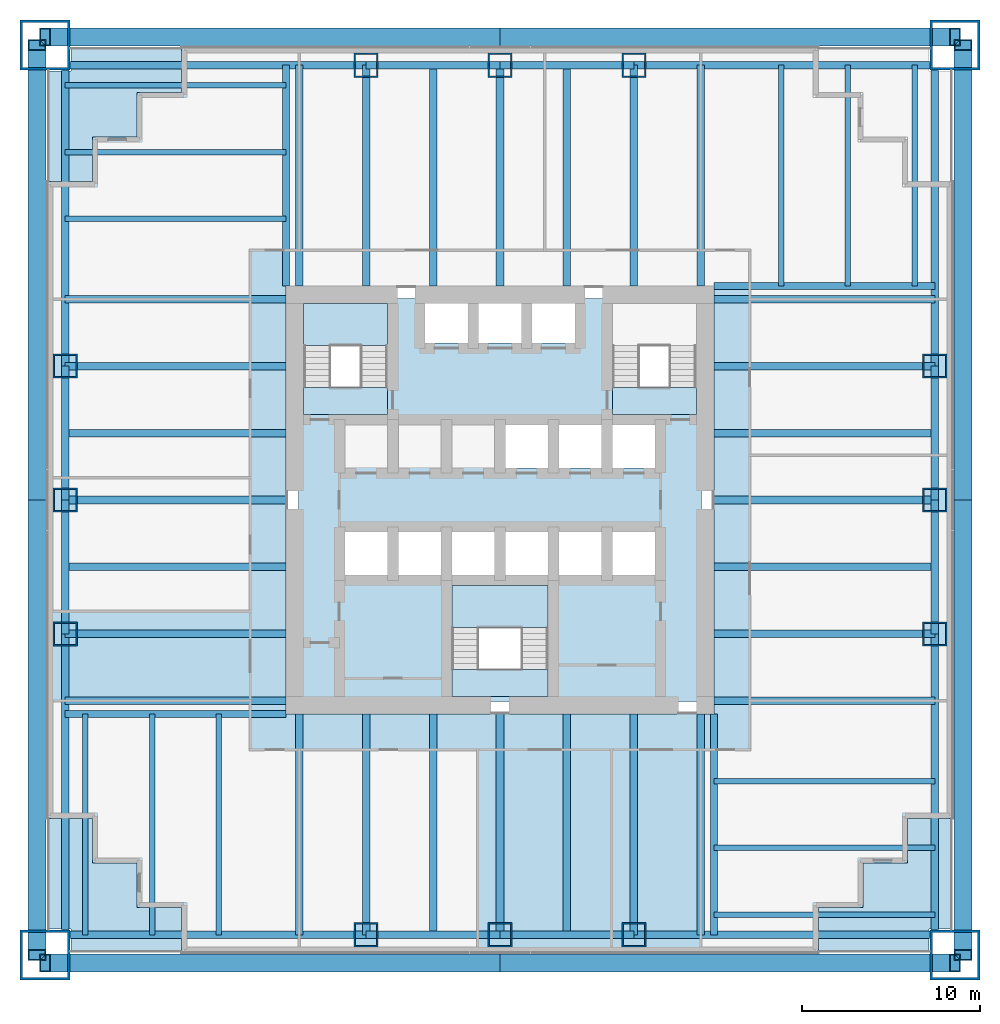
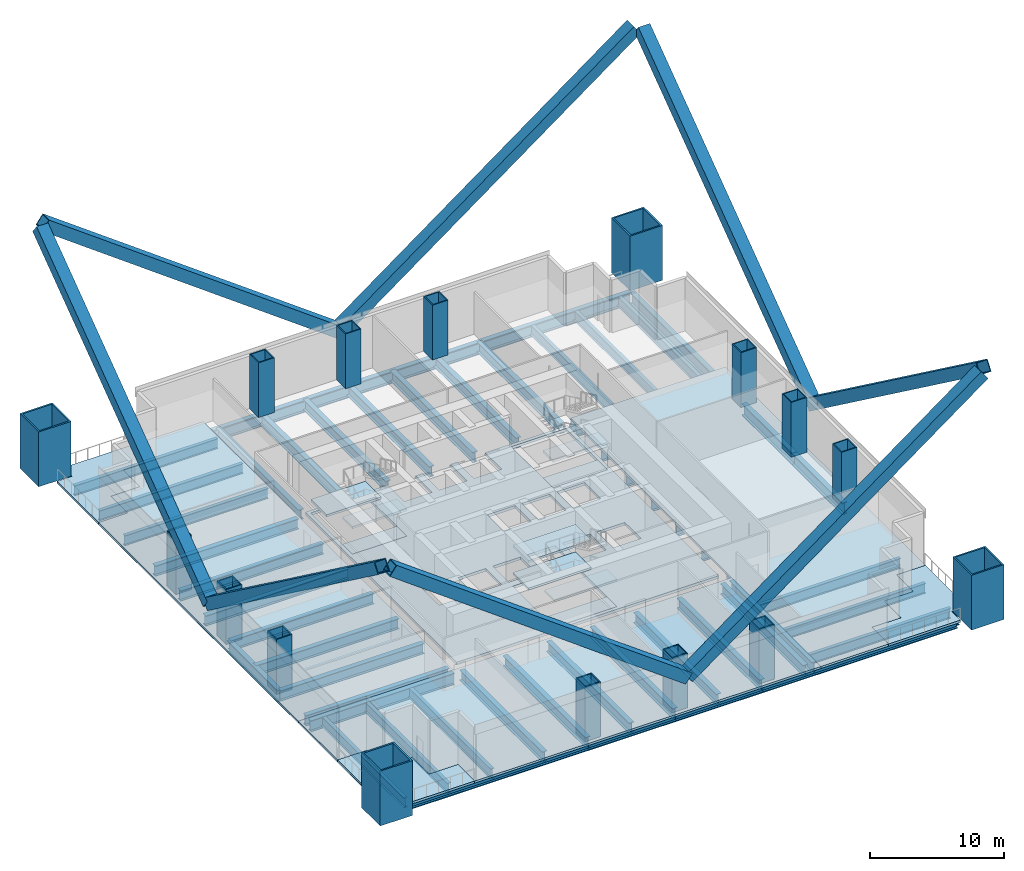
# One storey, part 1 of 6: 60 beams, 16 columns, 16 slabs, 8 members, 3 elements without a shape of their own.
"""IFC4 building model written with IfcOpenShell, lengths in metres."""

from ifc_helpers import new_model, si_unit, direction, frame, origin, origin_2d, place, context, subcontext, project, spatial, polyline, hollow_rectangle, i_section, outline, extrude, material, layer, layer_set, material_profile, profile_set, type_object, element, aggregate, save


model = new_model("IFC4")

# Units and contexts
model_context = context("Model", 3, precision=1e-05, world=origin(), true_north=direction((0.0, 1.0)))
body_context = subcontext(model_context, "Body", "Model", "MODEL_VIEW")
ifc_project = project(units=[si_unit("LENGTHUNIT", "METRE"), si_unit("AREAUNIT", "SQUARE_METRE"), si_unit("VOLUMEUNIT", "CUBIC_METRE"), si_unit("PLANEANGLEUNIT", "RADIAN"), si_unit("MASSUNIT", "GRAM", prefix="KILO")], contexts=[model_context])

# Site, building, storey
site_placement = place(None, origin())
site = spatial("IfcSite", under=ifc_project, at=site_placement, CompositionType="ELEMENT")
building_placement = place(site_placement, origin())
building = spatial("IfcBuilding", under=site, at=building_placement, Name="Tarangal Relay Tower", CompositionType="ELEMENT")
storey_placement = place(building_placement, frame((0.0, 0.0, 38.39990234375)))
storey = spatial("IfcBuildingStorey", under=building, at=storey_placement, Name="L07", CompositionType="ELEMENT", Elevation=38.39990234375)

# Columns
ifc_material_1 = material(Name="Steel ASTM A572 Grade 42", Category="steel")
ifc_material_profile_1 = material_profile(ifc_material_1, hollow_rectangle(XDim=2.800048828125, YDim=2.800048828125, WallThickness=0.139892578125, at=origin_2d()), Name="BOX2800X2800X140")
ifc_profile_set_1 = profile_set([ifc_material_profile_1], Name="Steel ASTM A572 Grade 42")
column_type_1 = type_object("IfcColumnType", Name="Mega column BOX2800X2800X140", PredefinedType="COLUMN", material=ifc_profile_set_1)
for number, where, z_axis, x_axis, name in (
    (1, (25.5, 25.5, 0.0), (0.0, 0.0, 1.0), (1.0, 0.0, 0.0), "Mega column MC1 NE L07"),
    (2, (25.5, -25.5, 0.0), (0.0, 0.0, 1.0), (1.0, 0.0, 0.0), "Mega column MC1 SE L07"),
    (3, (-25.5, -25.5, 0.0), (0.0, 0.0, 1.0), (1.0, 0.0, 0.0), "Mega column MC1 SW L07"),
    (4, (-25.5, 25.5, 0.0), (0.0, 0.0, 1.0), (1.0, 0.0, 0.0), "Mega column MC1 NW L07"),
):
    element("IfcColumn", number, at=place(storey_placement, frame(where, z_axis=z_axis, x_axis=x_axis)), inside=storey, type_object=column_type_1, Name=name, PredefinedType="COLUMN", context=body_context, shape_type="SweptSolid", body=[
        extrude(hollow_rectangle(XDim=2.800048828125, YDim=2.800048828125, WallThickness=0.139892578125, at=origin_2d()), origin(), (0.0, 0.0, 1.0), 5.0),
    ])
ifc_material_2 = material(Name="Steel ASTM A572 Grade 50", Category="steel")
ifc_material_profile_2 = material_profile(ifc_material_2, hollow_rectangle(XDim=1.35009765625, YDim=1.35009765625, WallThickness=0.0849609375, at=origin_2d()), Name="BOX1350X1350X85")
ifc_profile_set_2 = profile_set([ifc_material_profile_2], Name="Steel ASTM A572 Grade 50")
column_type_2 = type_object("IfcColumnType", Name="Perimeter column BOX1350X1350X85", PredefinedType="COLUMN", material=ifc_profile_set_2)
for number, where, z_axis, x_axis, name in (
    (5, (-7.5, 24.364990234375, 0.0), (0.0, 0.0, 1.0), (1.0, 0.0, 0.0), "Perimeter column PC2 N L07"),
    (6, (0.0, 24.364990234375, 0.0), (0.0, 0.0, 1.0), (1.0, 0.0, 0.0), "Perimeter column PC2 N L07"),
    (7, (7.5, 24.364990234375, 0.0), (0.0, 0.0, 1.0), (1.0, 0.0, 0.0), "Perimeter column PC2 N L07"),
    (8, (24.364990234375, 7.5, 0.0), (0.0, 0.0, 1.0), (1.0, 0.0, 0.0), "Perimeter column PC2 E L07"),
    (9, (24.364990234375, 0.0, 0.0), (0.0, 0.0, 1.0), (1.0, 0.0, 0.0), "Perimeter column PC2 E L07"),
    (10, (24.364990234375, -7.5, 0.0), (0.0, 0.0, 1.0), (1.0, 0.0, 0.0), "Perimeter column PC2 E L07"),
    (11, (7.5, -24.364990234375, 0.0), (0.0, 0.0, 1.0), (1.0, 0.0, 0.0), "Perimeter column PC2 S L07"),
    (12, (0.0, -24.364990234375, 0.0), (0.0, 0.0, 1.0), (1.0, 0.0, 0.0), "Perimeter column PC2 S L07"),
    (13, (-7.5, -24.364990234375, 0.0), (0.0, 0.0, 1.0), (1.0, 0.0, 0.0), "Perimeter column PC2 S L07"),
    (14, (-24.364990234375, -7.5, 0.0), (0.0, 0.0, 1.0), (1.0, 0.0, 0.0), "Perimeter column PC2 W L07"),
    (15, (-24.364990234375, 0.0, 0.0), (0.0, 0.0, 1.0), (1.0, 0.0, 0.0), "Perimeter column PC2 W L07"),
    (16, (-24.364990234375, 7.5, 0.0), (0.0, 0.0, 1.0), (1.0, 0.0, 0.0), "Perimeter column PC2 W L07"),
):
    element("IfcColumn", number, at=place(storey_placement, frame(where, z_axis=z_axis, x_axis=x_axis)), inside=storey, type_object=column_type_2, Name=name, PredefinedType="COLUMN", context=body_context, shape_type="SweptSolid", body=[
        extrude(hollow_rectangle(XDim=1.35009765625, YDim=1.35009765625, WallThickness=0.0849609375, at=origin_2d()), origin(), (0.0, 0.0, 1.0), 5.0),
    ])

# Beams
ifc_material_3 = material(Name="Steel ASTM A992", Category="steel")
ifc_material_profile_3 = material_profile(ifc_material_3, i_section(OverallWidth=0.307373046875, OverallDepth=0.927001953125, WebThickness=0.019287109375, FlangeThickness=0.031982421875, at=origin_2d()), Name="W36X194")
ifc_profile_set_3 = profile_set([ifc_material_profile_3], Name="Steel ASTM A992")
beam_type_1 = type_object("IfcBeamType", Name="Corner beam W36X194", PredefinedType="JOIST", material=ifc_profile_set_3)
for number, where, z_axis, x_axis, name in (
    (17, (15.75, 12.0, -0.66357421875), (0.0, 1.0, 0.0), (-1.0, 0.0, 0.0), "Corner beam CB10 N L07"),
    (18, (19.5, 12.0, -0.66357421875), (0.0, 1.0, 0.0), (-1.0, 0.0, 0.0), "Corner beam CB10 N L07"),
    (19, (23.25, 12.0, -0.66357421875), (0.0, 1.0, 0.0), (-1.0, 0.0, 0.0), "Corner beam CB10 N L07"),
    (20, (12.0, -15.75, -0.66357421875), (1.0, 0.0, 0.0), (0.0, 1.0, 0.0), "Corner beam CB10 E L07"),
    (21, (12.0, -19.5, -0.66357421875), (1.0, 0.0, 0.0), (0.0, 1.0, 0.0), "Corner beam CB10 E L07"),
    (22, (12.0, -23.25, -0.66357421875), (1.0, 0.0, 0.0), (0.0, 1.0, 0.0), "Corner beam CB10 E L07"),
    (23, (-15.75, -12.0, -0.66357421875), (0.0, -1.0, 0.0), (1.0, 0.0, 0.0), "Corner beam CB10 S L07"),
    (24, (-19.5, -12.0, -0.66357421875), (0.0, -1.0, 0.0), (1.0, 0.0, 0.0), "Corner beam CB10 S L07"),
    (25, (-23.25, -12.0, -0.66357421875), (0.0, -1.0, 0.0), (1.0, 0.0, 0.0), "Corner beam CB10 S L07"),
    (26, (-12.0, 15.75, -0.66357421875), (-1.0, 0.0, 0.0), (0.0, -1.0, 0.0), "Corner beam CB10 W L07"),
    (27, (-12.0, 19.5, -0.66357421875), (-1.0, 0.0, 0.0), (0.0, -1.0, 0.0), "Corner beam CB10 W L07"),
    (28, (-12.0, 23.25, -0.66357421875), (-1.0, 0.0, 0.0), (0.0, -1.0, 0.0), "Corner beam CB10 W L07"),
):
    element("IfcBeam", number, at=place(storey_placement, frame(where, z_axis=z_axis, x_axis=x_axis)), inside=storey, type_object=beam_type_1, Name=name, PredefinedType="JOIST", context=body_context, shape_type="SweptSolid", body=[
        extrude(i_section(OverallWidth=0.307373046875, OverallDepth=0.927001953125, WebThickness=0.019287109375, FlangeThickness=0.031982421875, at=origin_2d()), origin(), (0.0, 0.0, 1.0), 12.364990234375),
    ])
ifc_material_profile_4 = material_profile(ifc_material_3, i_section(OverallWidth=0.40380859375, OverallDepth=1.036376953125, WebThickness=0.031005859375, FlangeThickness=0.0458984375, at=origin_2d()), Name="W40X331")
ifc_profile_set_4 = profile_set([ifc_material_profile_4], Name="Steel ASTM A992")
beam_type_2 = type_object("IfcBeamType", Name="Corner girder W40X331", PredefinedType="BEAM", material=ifc_profile_set_4)
for number, where, z_axis, x_axis, name in (
    (29, (12.0, 12.0, -0.718017578125), (1.0, 0.0, 0.0), (0.0, 1.0, 0.0), "Corner girder CG2 N L07"),
    (30, (12.0, -12.0, -0.718017578125), (0.0, -1.0, 0.0), (1.0, 0.0, 0.0), "Corner girder CG2 E L07"),
    (31, (-12.0, -12.0, -0.718017578125), (-1.0, 0.0, 0.0), (0.0, -1.0, 0.0), "Corner girder CG2 S L07"),
    (32, (-12.0, 12.0, -0.718017578125), (0.0, 1.0, 0.0), (-1.0, 0.0, 0.0), "Corner girder CG2 W L07"),
):
    element("IfcBeam", number, at=place(storey_placement, frame(where, z_axis=z_axis, x_axis=x_axis)), inside=storey, type_object=beam_type_2, Name=name, PredefinedType="BEAM", context=body_context, shape_type="SweptSolid", body=[
        extrude(i_section(OverallWidth=0.40380859375, OverallDepth=1.036376953125, WebThickness=0.031005859375, FlangeThickness=0.0458984375, at=origin_2d()), origin(), (0.0, 0.0, 1.0), 12.364990234375),
    ])
ifc_material_profile_5 = material_profile(ifc_material_3, i_section(OverallWidth=0.42431640625, OverallDepth=1.09228515625, WebThickness=0.04541015625, FlangeThickness=0.08203125, at=origin_2d()), Name="W40X593")
ifc_profile_set_5 = profile_set([ifc_material_profile_5], Name="Steel ASTM A992")
beam_type_3 = type_object("IfcBeamType", Name="Edge girder W40X593", PredefinedType="SPANDREL", material=ifc_profile_set_5)
beam_1_placement = place(storey_placement, frame((-24.25, 24.364990234375, -0.74609375), z_axis=(1.0, 0.0, 0.0), x_axis=(0.0, 1.0, 0.0)))
element("IfcBeam", 33, at=beam_1_placement, inside=storey, type_object=beam_type_3, Name="Edge girder EG9 N L07", PredefinedType="SPANDREL", context=body_context, shape_type="SweptSolid", body=[
    extrude(i_section(OverallWidth=0.42431640625, OverallDepth=1.09228515625, WebThickness=0.04541015625, FlangeThickness=0.08203125, at=origin_2d()), origin(), (0.0, 0.0, 1.0), 16.75),
])
for number, where, z_axis, x_axis, name in (
    (34, (-7.5, 24.364990234375, -0.74609375), (1.0, 0.0, 0.0), (0.0, 1.0, 0.0), "Edge girder EG9 N L07"),
    (35, (0.0, 24.364990234375, -0.74609375), (1.0, 0.0, 0.0), (0.0, 1.0, 0.0), "Edge girder EG9 N L07"),
):
    element("IfcBeam", number, at=place(storey_placement, frame(where, z_axis=z_axis, x_axis=x_axis)), inside=storey, type_object=beam_type_3, Name=name, PredefinedType="SPANDREL", context=body_context, shape_type="SweptSolid", body=[
        extrude(i_section(OverallWidth=0.42431640625, OverallDepth=1.09228515625, WebThickness=0.04541015625, FlangeThickness=0.08203125, at=origin_2d()), origin(), (0.0, 0.0, 1.0), 7.5),
    ])
for number, where, z_axis, x_axis, name in (
    (36, (7.5, 24.364990234375, -0.74609375), (1.0, 0.0, 0.0), (0.0, 1.0, 0.0), "Edge girder EG9 N L07"),
    (37, (24.364990234375, 24.25, -0.74609375), (0.0, -1.0, 0.0), (1.0, 0.0, 0.0), "Edge girder EG9 E L07"),
):
    element("IfcBeam", number, at=place(storey_placement, frame(where, z_axis=z_axis, x_axis=x_axis)), inside=storey, type_object=beam_type_3, Name=name, PredefinedType="SPANDREL", context=body_context, shape_type="SweptSolid", body=[
        extrude(i_section(OverallWidth=0.42431640625, OverallDepth=1.09228515625, WebThickness=0.04541015625, FlangeThickness=0.08203125, at=origin_2d()), origin(), (0.0, 0.0, 1.0), 16.75),
    ])
for number, where, z_axis, x_axis, name in (
    (38, (24.364990234375, 7.5, -0.74609375), (0.0, -1.0, 0.0), (1.0, 0.0, 0.0), "Edge girder EG9 E L07"),
    (39, (24.364990234375, 0.0, -0.74609375), (0.0, -1.0, 0.0), (1.0, 0.0, 0.0), "Edge girder EG9 E L07"),
):
    element("IfcBeam", number, at=place(storey_placement, frame(where, z_axis=z_axis, x_axis=x_axis)), inside=storey, type_object=beam_type_3, Name=name, PredefinedType="SPANDREL", context=body_context, shape_type="SweptSolid", body=[
        extrude(i_section(OverallWidth=0.42431640625, OverallDepth=1.09228515625, WebThickness=0.04541015625, FlangeThickness=0.08203125, at=origin_2d()), origin(), (0.0, 0.0, 1.0), 7.5),
    ])
for number, where, z_axis, x_axis, name in (
    (40, (24.364990234375, -7.5, -0.74609375), (0.0, -1.0, 0.0), (1.0, 0.0, 0.0), "Edge girder EG9 E L07"),
    (41, (24.25, -24.364990234375, -0.74609375), (-1.0, 0.0, 0.0), (0.0, -1.0, 0.0), "Edge girder EG9 S L07"),
):
    element("IfcBeam", number, at=place(storey_placement, frame(where, z_axis=z_axis, x_axis=x_axis)), inside=storey, type_object=beam_type_3, Name=name, PredefinedType="SPANDREL", context=body_context, shape_type="SweptSolid", body=[
        extrude(i_section(OverallWidth=0.42431640625, OverallDepth=1.09228515625, WebThickness=0.04541015625, FlangeThickness=0.08203125, at=origin_2d()), origin(), (0.0, 0.0, 1.0), 16.75),
    ])
for number, where, z_axis, x_axis, name in (
    (42, (7.5, -24.364990234375, -0.74609375), (-1.0, 0.0, 0.0), (0.0, -1.0, 0.0), "Edge girder EG9 S L07"),
    (43, (0.0, -24.364990234375, -0.74609375), (-1.0, 0.0, 0.0), (0.0, -1.0, 0.0), "Edge girder EG9 S L07"),
):
    element("IfcBeam", number, at=place(storey_placement, frame(where, z_axis=z_axis, x_axis=x_axis)), inside=storey, type_object=beam_type_3, Name=name, PredefinedType="SPANDREL", context=body_context, shape_type="SweptSolid", body=[
        extrude(i_section(OverallWidth=0.42431640625, OverallDepth=1.09228515625, WebThickness=0.04541015625, FlangeThickness=0.08203125, at=origin_2d()), origin(), (0.0, 0.0, 1.0), 7.5),
    ])
for number, where, z_axis, x_axis, name in (
    (44, (-7.5, -24.364990234375, -0.74609375), (-1.0, 0.0, 0.0), (0.0, -1.0, 0.0), "Edge girder EG9 S L07"),
    (45, (-24.364990234375, -24.25, -0.74609375), (0.0, 1.0, 0.0), (-1.0, 0.0, 0.0), "Edge girder EG9 W L07"),
):
    element("IfcBeam", number, at=place(storey_placement, frame(where, z_axis=z_axis, x_axis=x_axis)), inside=storey, type_object=beam_type_3, Name=name, PredefinedType="SPANDREL", context=body_context, shape_type="SweptSolid", body=[
        extrude(i_section(OverallWidth=0.42431640625, OverallDepth=1.09228515625, WebThickness=0.04541015625, FlangeThickness=0.08203125, at=origin_2d()), origin(), (0.0, 0.0, 1.0), 16.75),
    ])
for number, where, z_axis, x_axis, name in (
    (46, (-24.364990234375, -7.5, -0.74609375), (0.0, 1.0, 0.0), (-1.0, 0.0, 0.0), "Edge girder EG9 W L07"),
    (47, (-24.364990234375, 0.0, -0.74609375), (0.0, 1.0, 0.0), (-1.0, 0.0, 0.0), "Edge girder EG9 W L07"),
):
    element("IfcBeam", number, at=place(storey_placement, frame(where, z_axis=z_axis, x_axis=x_axis)), inside=storey, type_object=beam_type_3, Name=name, PredefinedType="SPANDREL", context=body_context, shape_type="SweptSolid", body=[
        extrude(i_section(OverallWidth=0.42431640625, OverallDepth=1.09228515625, WebThickness=0.04541015625, FlangeThickness=0.08203125, at=origin_2d()), origin(), (0.0, 0.0, 1.0), 7.5),
    ])
beam_2_placement = place(storey_placement, frame((-24.364990234375, 7.5, -0.74609375), z_axis=(0.0, 1.0, 0.0), x_axis=(-1.0, 0.0, 0.0)))
element("IfcBeam", 48, at=beam_2_placement, inside=storey, type_object=beam_type_3, Name="Edge girder EG9 W L07", PredefinedType="SPANDREL", context=body_context, shape_type="SweptSolid", body=[
    extrude(i_section(OverallWidth=0.42431640625, OverallDepth=1.09228515625, WebThickness=0.04541015625, FlangeThickness=0.08203125, at=origin_2d()), origin(), (0.0, 0.0, 1.0), 16.75),
])
ifc_material_profile_6 = material_profile(ifc_material_3, i_section(OverallWidth=0.42431640625, OverallDepth=0.947509765625, WebThickness=0.02392578125, FlangeThickness=0.042724609375, at=origin_2d()), Name="W36X302")
ifc_profile_set_6 = profile_set([ifc_material_profile_6], Name="Steel ASTM A992")
beam_type_4 = type_object("IfcBeamType", Name="Floor beam W36X302", PredefinedType="BEAM", material=ifc_profile_set_6)
for number, where, z_axis, x_axis, name in (
    (49, (-11.25, 12.0, -0.673583984375), (0.0, 1.0, 0.0), (-1.0, 0.0, 0.0), "Floor beam RB10 N L07"),
    (50, (-7.5, 12.0, -0.673583984375), (0.0, 1.0, 0.0), (-1.0, 0.0, 0.0), "Floor beam RB10 N L07"),
    (51, (-3.75, 12.0, -0.673583984375), (0.0, 1.0, 0.0), (-1.0, 0.0, 0.0), "Floor beam RB10 N L07"),
    (52, (0.0, 12.0, -0.673583984375), (0.0, 1.0, 0.0), (-1.0, 0.0, 0.0), "Floor beam RB10 N L07"),
    (53, (3.75, 12.0, -0.673583984375), (0.0, 1.0, 0.0), (-1.0, 0.0, 0.0), "Floor beam RB10 N L07"),
    (54, (7.5, 12.0, -0.673583984375), (0.0, 1.0, 0.0), (-1.0, 0.0, 0.0), "Floor beam RB10 N L07"),
    (55, (11.25, 12.0, -0.673583984375), (0.0, 1.0, 0.0), (-1.0, 0.0, 0.0), "Floor beam RB10 N L07"),
    (56, (12.0, 11.25, -0.673583984375), (1.0, 0.0, 0.0), (0.0, 1.0, 0.0), "Floor beam RB10 E L07"),
    (57, (12.0, 7.5, -0.673583984375), (1.0, 0.0, 0.0), (0.0, 1.0, 0.0), "Floor beam RB10 E L07"),
    (58, (12.0, 3.75, -0.673583984375), (1.0, 0.0, 0.0), (0.0, 1.0, 0.0), "Floor beam RB10 E L07"),
    (59, (12.0, 0.0, -0.673583984375), (1.0, 0.0, 0.0), (0.0, 1.0, 0.0), "Floor beam RB10 E L07"),
    (60, (12.0, -3.75, -0.673583984375), (1.0, 0.0, 0.0), (0.0, 1.0, 0.0), "Floor beam RB10 E L07"),
    (61, (12.0, -7.5, -0.673583984375), (1.0, 0.0, 0.0), (0.0, 1.0, 0.0), "Floor beam RB10 E L07"),
    (62, (12.0, -11.25, -0.673583984375), (1.0, 0.0, 0.0), (0.0, 1.0, 0.0), "Floor beam RB10 E L07"),
    (63, (11.25, -12.0, -0.673583984375), (0.0, -1.0, 0.0), (1.0, 0.0, 0.0), "Floor beam RB10 S L07"),
    (64, (7.5, -12.0, -0.673583984375), (0.0, -1.0, 0.0), (1.0, 0.0, 0.0), "Floor beam RB10 S L07"),
    (65, (3.75, -12.0, -0.673583984375), (0.0, -1.0, 0.0), (1.0, 0.0, 0.0), "Floor beam RB10 S L07"),
    (66, (0.0, -12.0, -0.673583984375), (0.0, -1.0, 0.0), (1.0, 0.0, 0.0), "Floor beam RB10 S L07"),
    (67, (-3.75, -12.0, -0.673583984375), (0.0, -1.0, 0.0), (1.0, 0.0, 0.0), "Floor beam RB10 S L07"),
    (68, (-7.5, -12.0, -0.673583984375), (0.0, -1.0, 0.0), (1.0, 0.0, 0.0), "Floor beam RB10 S L07"),
    (69, (-11.25, -12.0, -0.673583984375), (0.0, -1.0, 0.0), (1.0, 0.0, 0.0), "Floor beam RB10 S L07"),
    (70, (-12.0, -11.25, -0.673583984375), (-1.0, 0.0, 0.0), (0.0, -1.0, 0.0), "Floor beam RB10 W L07"),
    (71, (-12.0, -7.5, -0.673583984375), (-1.0, 0.0, 0.0), (0.0, -1.0, 0.0), "Floor beam RB10 W L07"),
    (72, (-12.0, -3.75, -0.673583984375), (-1.0, 0.0, 0.0), (0.0, -1.0, 0.0), "Floor beam RB10 W L07"),
    (73, (-12.0, 0.0, -0.673583984375), (-1.0, 0.0, 0.0), (0.0, -1.0, 0.0), "Floor beam RB10 W L07"),
    (74, (-12.0, 3.75, -0.673583984375), (-1.0, 0.0, 0.0), (0.0, -1.0, 0.0), "Floor beam RB10 W L07"),
    (75, (-12.0, 7.5, -0.673583984375), (-1.0, 0.0, 0.0), (0.0, -1.0, 0.0), "Floor beam RB10 W L07"),
    (76, (-12.0, 11.25, -0.673583984375), (-1.0, 0.0, 0.0), (0.0, -1.0, 0.0), "Floor beam RB10 W L07"),
):
    element("IfcBeam", number, at=place(storey_placement, frame(where, z_axis=z_axis, x_axis=x_axis)), inside=storey, type_object=beam_type_4, Name=name, PredefinedType="BEAM", context=body_context, shape_type="SweptSolid", body=[
        extrude(i_section(OverallWidth=0.42431640625, OverallDepth=0.947509765625, WebThickness=0.02392578125, FlangeThickness=0.042724609375, at=origin_2d()), origin(), (0.0, 0.0, 1.0), 12.364990234375),
    ])

# Members
ifc_material_profile_7 = material_profile(ifc_material_2, hollow_rectangle(XDim=1.0, YDim=1.0, WallThickness=0.06005859375, at=origin_2d()), Name="BOX1000X1000X60")
ifc_profile_set_7 = profile_set([ifc_material_profile_7], Name="Steel ASTM A572 Grade 50")
member_type = type_object("IfcMemberType", Name="Mega brace BOX1000X1000X60", PredefinedType="BRACE", material=ifc_profile_set_7)
for number, where, z_axis, x_axis, name in (
    (77, (0.0, 25.949951171875, 3.75), (0.805651012649, 0.0, 0.592390450478), (0.0, 1.0, 0.0), "Mega brace MB1 N face module 1"),
    (78, (0.0, 25.949951171875, 3.75), (-0.805651012649, 0.0, 0.592390450478), (0.0, -1.0, 0.0), "Mega brace MB1 N face module 1"),
    (79, (25.949951171875, 0.0, 3.75), (0.0, -0.805651012649, 0.592390450478), (1.0, 0.0, 0.0), "Mega brace MB1 E face module 1"),
    (80, (25.949951171875, 0.0, 3.75), (0.0, 0.805651012649, 0.592390450478), (-1.0, 0.0, 0.0), "Mega brace MB1 E face module 1"),
    (81, (0.0, -25.949951171875, 3.75), (-0.805651012649, 0.0, 0.592390450478), (0.0, -1.0, 0.0), "Mega brace MB1 S face module 1"),
    (82, (0.0, -25.949951171875, 3.75), (0.805651012649, 0.0, 0.592390450478), (0.0, 1.0, 0.0), "Mega brace MB1 S face module 1"),
    (83, (-25.949951171875, 0.0, 3.75), (0.0, 0.805651012649, 0.592390450478), (-1.0, 0.0, 0.0), "Mega brace MB1 W face module 1"),
    (84, (-25.949951171875, 0.0, 3.75), (0.0, -0.805651012649, 0.592390450478), (1.0, 0.0, 0.0), "Mega brace MB1 W face module 1"),
):
    element("IfcMember", number, at=place(storey_placement, frame(where, z_axis=z_axis, x_axis=x_axis)), inside=storey, type_object=member_type, Name=name, PredefinedType="BRACE", context=body_context, shape_type="SweptSolid", body=[
        extrude(hollow_rectangle(XDim=1.0, YDim=1.0, WallThickness=0.06005859375, at=origin_2d()), origin(), (0.0, 0.0, 1.0), 31.6513671875),
    ])

# Slabs
ifc_material_4 = material(Name="Concrete fc' 35 MPa", Category="concrete")
ifc_layer_1 = layer(ifc_material_4, 0.25)
ifc_layer_set_1 = layer_set([ifc_layer_1], Name="Core floor slab 250")
slab_type_1 = type_object("IfcSlabType", Name="Core floor slab 250", PredefinedType="FLOOR", material=ifc_layer_set_1)
slab_1_placement = place(storey_placement, frame((0.0, 0.0, -0.25)))
element("IfcSlab", 85, at=slab_1_placement, inside=storey, type_object=slab_type_1, Name="Core floor slab L07", PredefinedType="FLOOR", context=body_context, shape_type="SweptSolid", body=[
    extrude(outline(polyline([(11.300048828125, 11.300048828125), (11.300048828125, -11.300048828125), (-11.300048828125, -11.300048828125), (-11.300048828125, 11.300048828125), (-4.199951171875, 11.300048828125), (-4.199951171875, 8.800048828125), (-1.800048828125, 8.800048828125), (-1.800048828125, 11.300048828125), (-1.199951171875, 11.300048828125), (-1.199951171875, 8.800048828125), (1.199951171875, 8.800048828125), (1.199951171875, 11.300048828125), (1.800048828125, 11.300048828125), (1.800048828125, 8.800048828125), (4.199951171875, 8.800048828125), (4.199951171875, 11.300048828125), (11.300048828125, 11.300048828125)]), holes=[polyline([(2.699951171875, -4.800048828125), (-2.699951171875, -4.800048828125), (-2.699951171875, -11.0), (2.699951171875, -11.0), (2.699951171875, -4.800048828125)]), polyline([(-6.300048828125, -4.199951171875), (-6.300048828125, -1.800048828125), (-8.699951171875, -1.800048828125), (-8.699951171875, -4.199951171875), (-6.300048828125, -4.199951171875)]), polyline([(-3.300048828125, -4.199951171875), (-3.300048828125, -1.800048828125), (-5.699951171875, -1.800048828125), (-5.699951171875, -4.199951171875), (-3.300048828125, -4.199951171875)]), polyline([(-0.300048828125, -4.199951171875), (-0.300048828125, -1.800048828125), (-2.699951171875, -1.800048828125), (-2.699951171875, -4.199951171875), (-0.300048828125, -4.199951171875)]), polyline([(2.699951171875, 1.800048828125), (2.699951171875, 4.199951171875), (0.300048828125, 4.199951171875), (0.300048828125, 1.800048828125), (2.699951171875, 1.800048828125)]), polyline([(-6.300048828125, 4.800048828125), (-6.300048828125, 11.0), (-11.0, 11.0), (-11.0, 4.800048828125), (-6.300048828125, 4.800048828125)]), polyline([(2.699951171875, -4.199951171875), (2.699951171875, -1.800048828125), (0.300048828125, -1.800048828125), (0.300048828125, -4.199951171875), (2.699951171875, -4.199951171875)]), polyline([(5.699951171875, -4.199951171875), (5.699951171875, -1.800048828125), (3.300048828125, -1.800048828125), (3.300048828125, -4.199951171875), (5.699951171875, -4.199951171875)]), polyline([(8.699951171875, -4.199951171875), (8.699951171875, -1.800048828125), (6.300048828125, -1.800048828125), (6.300048828125, -4.199951171875), (8.699951171875, -4.199951171875)]), polyline([(5.699951171875, 1.800048828125), (5.699951171875, 4.199951171875), (3.300048828125, 4.199951171875), (3.300048828125, 1.800048828125), (5.699951171875, 1.800048828125)]), polyline([(8.699951171875, 1.800048828125), (8.699951171875, 4.199951171875), (6.300048828125, 4.199951171875), (6.300048828125, 1.800048828125), (8.699951171875, 1.800048828125)]), polyline([(11.0, 4.800048828125), (11.0, 11.0), (6.300048828125, 11.0), (6.300048828125, 4.800048828125), (11.0, 4.800048828125)])]), origin(), (0.0, 0.0, 1.0), 0.25),
])
ifc_layer_2 = layer(ifc_material_4, 0.199951171875)
ifc_layer_set_2 = layer_set([ifc_layer_2], Name="Floor slab 200")
slab_type_2 = type_object("IfcSlabType", Name="Floor slab 200", PredefinedType="FLOOR", material=ifc_layer_set_2)
slab_2_placement = place(storey_placement, frame((0.0, 0.0, -0.199951171875)))
element("IfcSlab", 86, at=slab_2_placement, inside=storey, type_object=slab_type_2, Name="Floor slab FS2 L07 east bay", PredefinedType="FLOOR", context=body_context, shape_type="SweptSolid", body=[
    extrude(outline(polyline([(25.35009765625, -17.85009765625), (22.85009765625, -17.85009765625), (22.85009765625, -20.35009765625), (20.35009765625, -20.35009765625), (20.35009765625, -22.85009765625), (17.85009765625, -22.85009765625), (17.85009765625, -25.35009765625), (12.0, -25.35009765625), (12.0, 12.0), (25.35009765625, 12.0), (25.35009765625, -17.85009765625)])), origin(), (0.0, 0.0, 1.0), 0.199951171875),
])
slab_3_placement = place(storey_placement, frame((0.0, 0.0, -0.199951171875)))
element("IfcSlab", 87, at=slab_3_placement, inside=storey, type_object=slab_type_2, Name="Floor slab FS2 L07 south bay", PredefinedType="FLOOR", context=body_context, shape_type="SweptSolid", body=[
    extrude(outline(polyline([(-17.85009765625, -25.35009765625), (-17.85009765625, -22.85009765625), (-20.35009765625, -22.85009765625), (-20.35009765625, -20.35009765625), (-22.85009765625, -20.35009765625), (-22.85009765625, -17.85009765625), (-25.35009765625, -17.85009765625), (-25.35009765625, -12.0), (12.0, -12.0), (12.0, -25.35009765625), (-17.85009765625, -25.35009765625)])), origin(), (0.0, 0.0, 1.0), 0.199951171875),
])
slab_4_placement = place(storey_placement, frame((0.0, 0.0, -0.199951171875)))
element("IfcSlab", 88, at=slab_4_placement, inside=storey, type_object=slab_type_2, Name="Floor slab FS2 L07 west bay", PredefinedType="FLOOR", context=body_context, shape_type="SweptSolid", body=[
    extrude(outline(polyline([(-12.0, 25.35009765625), (-12.0, -12.0), (-25.35009765625, -12.0), (-25.35009765625, 17.85009765625), (-22.85009765625, 17.85009765625), (-22.85009765625, 20.35009765625), (-20.35009765625, 20.35009765625), (-20.35009765625, 22.85009765625), (-17.85009765625, 22.85009765625), (-17.85009765625, 25.35009765625), (-12.0, 25.35009765625)])), origin(), (0.0, 0.0, 1.0), 0.199951171875),
])

# Stair, slabs
ifc_material_5 = material(Name="Steel ASTM A992 stair flight", Category="steel")
stair_type = type_object("IfcStairType", Name="Core stair 1500", PredefinedType="HALF_TURN_STAIR", material=ifc_material_5)
stair_1_placement = place(storey_placement, origin())
stair_1 = element("IfcStair", 89, at=stair_1_placement, inside=storey, type_object=stair_type, Name="Stair ST-A L07", PredefinedType="HALF_TURN_STAIR")
ifc_layer_3 = layer(ifc_material_4, 0.199951171875)
ifc_layer_set_3 = layer_set([ifc_layer_3], Name="Stair landing 200")
slab_type_3 = type_object("IfcSlabType", Name="Stair landing 200", PredefinedType="LANDING", material=ifc_layer_set_3)
slab_5_placement = place(storey_placement, frame((0.0, 0.0, -0.199951171875)))
slab_5 = element("IfcSlab", 90, at=slab_5_placement, type_object=slab_type_3, Name="ST-A landing 1", PredefinedType="LANDING", context=body_context, shape_type="SweptSolid", body=[
    extrude(outline(polyline([(-11.0, 4.800048828125), (-6.300048828125, 4.800048828125), (-6.300048828125, 6.300048828125), (-11.0, 6.300048828125), (-11.0, 4.800048828125)])), origin(), (0.0, 0.0, 1.0), 0.199951171875),
])
slab_6_placement = place(storey_placement, frame((0.0, 0.0, 1.050048828125)))
slab_6 = element("IfcSlab", 91, at=slab_6_placement, type_object=slab_type_3, Name="ST-A landing 2", PredefinedType="LANDING", context=body_context, shape_type="SweptSolid", body=[
    extrude(outline(polyline([(-11.0, 8.64501953125), (-6.300048828125, 8.64501953125), (-6.300048828125, 11.0), (-11.0, 11.0), (-11.0, 8.64501953125)])), origin(), (0.0, 0.0, 1.0), 0.199951171875),
])
slab_7_placement = place(storey_placement, frame((0.0, 0.0, 2.300048828125)))
slab_7 = element("IfcSlab", 92, at=slab_7_placement, type_object=slab_type_3, Name="ST-A landing 3", PredefinedType="LANDING", context=body_context, shape_type="SweptSolid", body=[
    extrude(outline(polyline([(-11.0, 4.800048828125), (-6.300048828125, 4.800048828125), (-6.300048828125, 6.300048828125), (-11.0, 6.300048828125), (-11.0, 4.800048828125)])), origin(), (0.0, 0.0, 1.0), 0.199951171875),
])
aggregate(stair_1, [slab_5, slab_6, slab_7])

stair_2_placement = place(storey_placement, origin())
stair_2 = element("IfcStair", 93, at=stair_2_placement, inside=storey, type_object=stair_type, Name="Stair ST-B L07", PredefinedType="HALF_TURN_STAIR")
slab_8_placement = place(storey_placement, frame((0.0, 0.0, -0.199951171875)))
slab_8 = element("IfcSlab", 94, at=slab_8_placement, type_object=slab_type_3, Name="ST-B landing 1", PredefinedType="LANDING", context=body_context, shape_type="SweptSolid", body=[
    extrude(outline(polyline([(6.300048828125, 4.800048828125), (11.0, 4.800048828125), (11.0, 6.300048828125), (6.300048828125, 6.300048828125), (6.300048828125, 4.800048828125)])), origin(), (0.0, 0.0, 1.0), 0.199951171875),
])
slab_9_placement = place(storey_placement, frame((0.0, 0.0, 2.300048828125)))
slab_9 = element("IfcSlab", 95, at=slab_9_placement, type_object=slab_type_3, Name="ST-B landing 3", PredefinedType="LANDING", context=body_context, shape_type="SweptSolid", body=[
    extrude(outline(polyline([(6.300048828125, 4.800048828125), (11.0, 4.800048828125), (11.0, 6.300048828125), (6.300048828125, 6.300048828125), (6.300048828125, 4.800048828125)])), origin(), (0.0, 0.0, 1.0), 0.199951171875),
])
aggregate(stair_2, [slab_8, slab_9])

stair_3_placement = place(storey_placement, origin())
stair_3 = element("IfcStair", 96, at=stair_3_placement, inside=storey, type_object=stair_type, Name="Stair ST-C L07", PredefinedType="HALF_TURN_STAIR")
slab_10_placement = place(storey_placement, frame((0.0, 0.0, -0.199951171875)))
slab_10 = element("IfcSlab", 97, at=slab_10_placement, type_object=slab_type_3, Name="ST-C landing 1", PredefinedType="LANDING", context=body_context, shape_type="SweptSolid", body=[
    extrude(outline(polyline([(-2.699951171875, -11.0), (2.699951171875, -11.0), (2.699951171875, -9.5), (-2.699951171875, -9.5), (-2.699951171875, -11.0)])), origin(), (0.0, 0.0, 1.0), 0.199951171875),
])
slab_11_placement = place(storey_placement, frame((0.0, 0.0, 1.050048828125)))
slab_11 = element("IfcSlab", 98, at=slab_11_placement, type_object=slab_type_3, Name="ST-C landing 2", PredefinedType="LANDING", context=body_context, shape_type="SweptSolid", body=[
    extrude(outline(polyline([(-2.699951171875, -7.155029296875), (2.699951171875, -7.155029296875), (2.699951171875, -4.800048828125), (-2.699951171875, -4.800048828125), (-2.699951171875, -7.155029296875)])), origin(), (0.0, 0.0, 1.0), 0.199951171875),
])
slab_12_placement = place(storey_placement, frame((0.0, 0.0, 2.300048828125)))
slab_12 = element("IfcSlab", 99, at=slab_12_placement, type_object=slab_type_3, Name="ST-C landing 3", PredefinedType="LANDING", context=body_context, shape_type="SweptSolid", body=[
    extrude(outline(polyline([(-2.699951171875, -11.0), (2.699951171875, -11.0), (2.699951171875, -9.5), (-2.699951171875, -9.5), (-2.699951171875, -11.0)])), origin(), (0.0, 0.0, 1.0), 0.199951171875),
])
slab_13_placement = place(storey_placement, frame((0.0, 0.0, 3.550048828125)))
slab_13 = element("IfcSlab", 100, at=slab_13_placement, type_object=slab_type_3, Name="ST-C landing 4", PredefinedType="LANDING", context=body_context, shape_type="SweptSolid", body=[
    extrude(outline(polyline([(-2.699951171875, -7.155029296875), (2.699951171875, -7.155029296875), (2.699951171875, -4.800048828125), (-2.699951171875, -4.800048828125), (-2.699951171875, -7.155029296875)])), origin(), (0.0, 0.0, 1.0), 0.199951171875),
])
aggregate(stair_3, [slab_10, slab_11, slab_12, slab_13])

# Slabs
ifc_layer_4 = layer(ifc_material_4, 0.199951171875)
ifc_layer_set_4 = layer_set([ifc_layer_4], Name="Terrace slab 200")
slab_type_4 = type_object("IfcSlabType", Name="Terrace slab 200", PredefinedType="FLOOR", material=ifc_layer_set_4)
slab_14_placement = place(storey_placement, frame((0.0, 0.0, -0.199951171875)))
element("IfcSlab", 101, at=slab_14_placement, inside=storey, type_object=slab_type_4, Name="Corner terrace SE L07", PredefinedType="FLOOR", context=body_context, shape_type="SweptSolid", body=[
    extrude(outline(polyline([(25.35009765625, -17.85009765625), (22.85009765625, -17.85009765625), (22.85009765625, -20.35009765625), (20.35009765625, -20.35009765625), (20.35009765625, -22.85009765625), (17.85009765625, -22.85009765625), (17.85009765625, -25.35009765625), (24.050048828125, -25.35009765625), (24.050048828125, -24.050048828125), (25.35009765625, -24.050048828125), (25.35009765625, -17.85009765625)])), origin(), (0.0, 0.0, 1.0), 0.199951171875),
])
slab_15_placement = place(storey_placement, frame((0.0, 0.0, -0.199951171875)))
element("IfcSlab", 102, at=slab_15_placement, inside=storey, type_object=slab_type_4, Name="Corner terrace SW L07", PredefinedType="FLOOR", context=body_context, shape_type="SweptSolid", body=[
    extrude(outline(polyline([(-17.85009765625, -25.35009765625), (-17.85009765625, -22.85009765625), (-20.35009765625, -22.85009765625), (-20.35009765625, -20.35009765625), (-22.85009765625, -20.35009765625), (-22.85009765625, -17.85009765625), (-25.35009765625, -17.85009765625), (-25.35009765625, -24.050048828125), (-24.050048828125, -24.050048828125), (-24.050048828125, -25.35009765625), (-17.85009765625, -25.35009765625)])), origin(), (0.0, 0.0, 1.0), 0.199951171875),
])
slab_16_placement = place(storey_placement, frame((0.0, 0.0, -0.199951171875)))
element("IfcSlab", 103, at=slab_16_placement, inside=storey, type_object=slab_type_4, Name="Corner terrace NW L07", PredefinedType="FLOOR", context=body_context, shape_type="SweptSolid", body=[
    extrude(outline(polyline([(-25.35009765625, 17.85009765625), (-22.85009765625, 17.85009765625), (-22.85009765625, 20.35009765625), (-20.35009765625, 20.35009765625), (-20.35009765625, 22.85009765625), (-17.85009765625, 22.85009765625), (-17.85009765625, 25.35009765625), (-24.050048828125, 25.35009765625), (-24.050048828125, 24.050048828125), (-25.35009765625, 24.050048828125), (-25.35009765625, 17.85009765625)])), origin(), (0.0, 0.0, 1.0), 0.199951171875),
])

save(model, "model.ifc")
